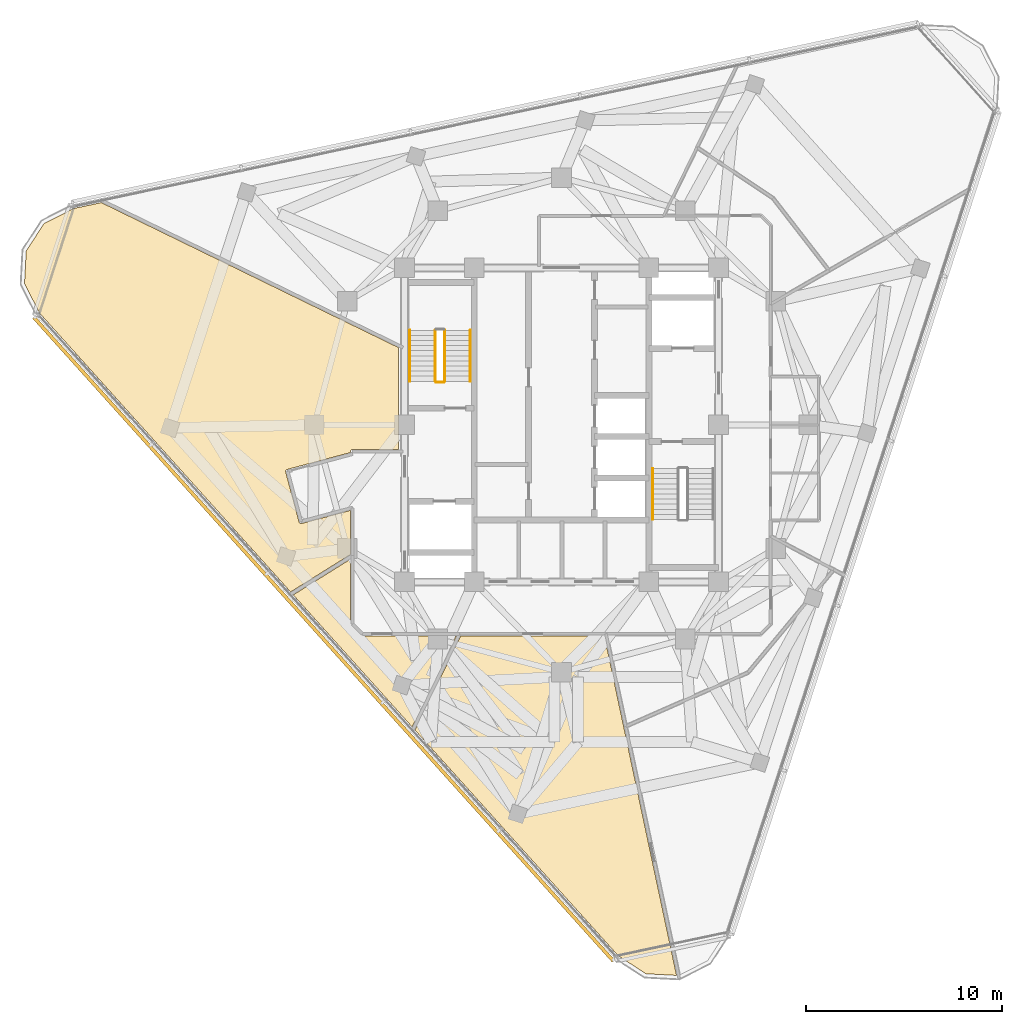
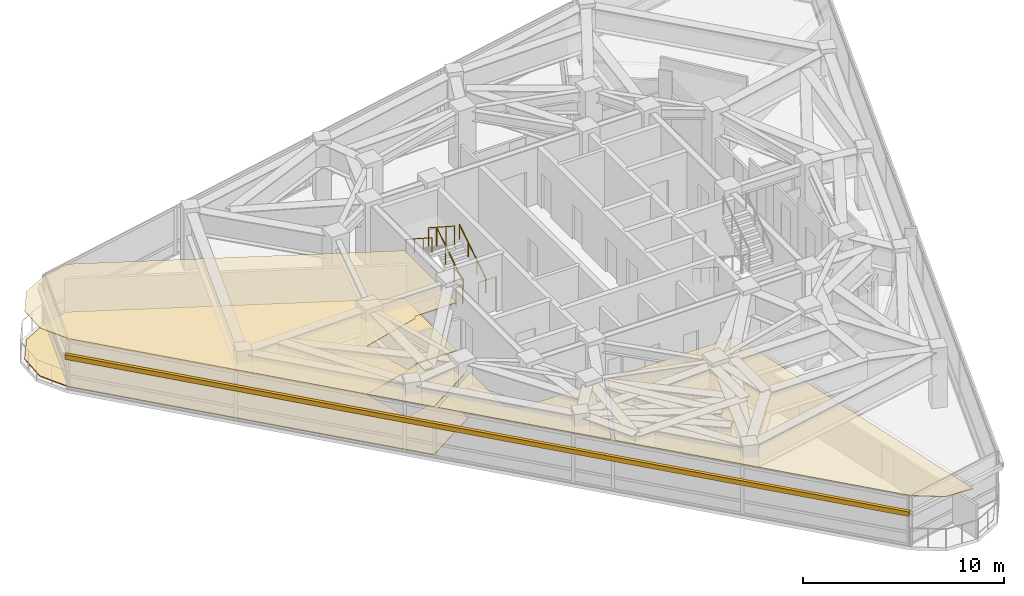
# One storey, part 12 of 15: 6 railings, 4 coverings, 1 shading device.
"""IFC4 building model written with IfcOpenShell, lengths in metres."""

from ifc_helpers import new_model, si_unit, direction, frame, origin, origin_2d, place, context, subcontext, project, spatial, polyline, rectangle, circle, outline, extrude, material, layer, layer_set, type_object, element, save


model = new_model("IFC4")

# Units and contexts
model_context = context("Model", 3, precision=1e-05, world=origin(), true_north=direction((0.0, 1.0)))
body_context = subcontext(model_context, "Body", "Model", "MODEL_VIEW")
ifc_project = project(units=[si_unit("LENGTHUNIT", "METRE"), si_unit("AREAUNIT", "SQUARE_METRE"), si_unit("VOLUMEUNIT", "CUBIC_METRE"), si_unit("PLANEANGLEUNIT", "RADIAN"), si_unit("MASSUNIT", "GRAM", prefix="KILO")], contexts=[model_context])

# Site, building, storey
site_placement = place(None, origin())
site = spatial("IfcSite", under=ifc_project, at=site_placement, CompositionType="ELEMENT")
building_placement = place(site_placement, origin())
building = spatial("IfcBuilding", under=site, at=building_placement, Name="Terralouvre Media Tower", CompositionType="ELEMENT")
storey_placement = place(building_placement, frame((0.0, 0.0, 309.10009765625)))
storey = spatial("IfcBuildingStorey", under=building, at=storey_placement, Name="L80", CompositionType="ELEMENT", Elevation=309.10009765625)

# Coverings
ifc_material_1 = material(Name="Resilient elastomer acoustic broadcast studio flooring")
ifc_layer_1 = layer(ifc_material_1, 0.050048828125, Name="Broadcast Studio Acoustic Floating Floor FL-AC1")
ifc_layer_set_1 = layer_set([ifc_layer_1], Name="Resilient elastomer acoustic broadcast studio flooring")
covering_type_1 = type_object("IfcCoveringType", Name="Broadcast Studio Acoustic Floating Floor FL-AC1", PredefinedType="FLOORING", material=ifc_layer_set_1)
covering_1_placement = place(storey_placement, frame((0.0, 0.0, 0.0), z_axis=(0.0, 0.0, 1.0), x_axis=(0.309016994375, 0.951056516295, 0.0)))
element("IfcCovering", 1, at=covering_1_placement, inside=storey, type_object=covering_type_1, Name="L80 Audio Mastering Control Room 1 Acoustic Floating Floor", PredefinedType="FLOORING", context=body_context, shape_type="SweptSolid", body=[
    extrude(outline(polyline([(-11.994873046875, 10.1953125), (-9.5986328125, 8.1845703125), (-7.464111328125, 8.8779296875), (-8.87451171875, 11.049560546875), (-8.87939453125, 11.05810546875), (-8.883544921875, 11.06689453125), (-8.88671875, 11.076416015625), (-8.888916015625, 11.0859375), (-8.89013671875, 11.095458984375), (-8.890625, 11.10546875), (-8.889892578125, 11.115234375), (-8.888427734375, 11.124755859375), (-8.885986328125, 11.13427734375), (-8.882568359375, 11.1435546875), (-8.878173828125, 11.15234375), (-8.873046875, 11.16064453125), (-8.866943359375, 11.16845703125), (-8.8603515625, 11.17578125), (-8.85302734375, 11.18212890625), (-8.844970703125, 11.18798828125), (-6.621826171875, 12.63037109375), (-6.613525390625, 12.635498046875), (-6.6044921875, 12.639404296875), (-6.59521484375, 12.642578125), (-6.585693359375, 12.644775390625), (-6.576171875, 12.646240234375), (-6.566162109375, 12.646484375), (-6.556396484375, 12.64599609375), (-6.546875, 12.644287109375), (-6.537109375, 12.641845703125), (-6.528076171875, 12.638427734375), (-6.519287109375, 12.634033203125), (-6.510986328125, 12.62890625), (-6.503173828125, 12.623046875), (-6.495849609375, 12.616455078125), (-6.489501953125, 12.60888671875), (-6.483642578125, 12.60107421875), (-4.658447265625, 9.78955078125), (-4.60595703125, 9.806640625), (-4.596435546875, 9.809326171875), (-4.586669921875, 9.810791015625), (-4.576904296875, 9.8115234375), (-4.567138671875, 9.811279296875), (-4.557373046875, 9.81005859375), (-4.5478515625, 9.807861328125), (-4.53857421875, 9.8046875), (-4.529541015625, 9.80078125), (-4.52099609375, 9.795654296875), (-4.51318359375, 9.7900390625), (-4.505615234375, 9.78369140625), (-4.4990234375, 9.776611328125), (-4.492919921875, 9.768798828125), (-4.48779296875, 9.760498046875), (-4.4833984375, 9.751708984375), (-4.479736328125, 9.742431640625), (-3.7568359375, 7.51708984375), (1.1806640625, 9.121337890625), (3.526123046875, 25.8056640625), (2.802734375, 27.0576171875), (1.6064453125, 28.255126953125), (0.0, 28.684326171875), (-1.606201171875, 28.254150390625), (-2.803466796875, 27.057861328125), (-12.361328125, 10.5029296875), (-11.994873046875, 10.1953125)])), origin(), (0.0, 0.0, 1.0), 0.0498046875),
])
ifc_material_2 = material(Name="Perforated aluminium acoustic ceiling baffle", Category="aluminium")
ifc_layer_2 = layer(ifc_material_2, 0.0400390625, Name="Perforated Acoustic Metal Tile Ceiling CL-AC1")
ifc_layer_set_2 = layer_set([ifc_layer_2], Name="Perforated aluminium acoustic ceiling baffle")
covering_type_2 = type_object("IfcCoveringType", Name="Perforated Acoustic Metal Tile Ceiling CL-AC1", PredefinedType="CEILING", material=ifc_layer_set_2)
covering_2_placement = place(storey_placement, frame((0.0, 0.0, 2.919921875), z_axis=(0.0, 0.0, 1.0), x_axis=(0.309016994375, 0.951056516295, 0.0)))
element("IfcCovering", 2, at=covering_2_placement, inside=storey, type_object=covering_type_2, Name="L80 Audio Mastering Control Room 1 Acoustic Ceiling", PredefinedType="CEILING", context=body_context, shape_type="SweptSolid", body=[
    extrude(outline(polyline([(-11.994873046875, 10.1953125), (-9.5986328125, 8.1845703125), (-7.464111328125, 8.8779296875), (-8.87451171875, 11.049560546875), (-8.87939453125, 11.05810546875), (-8.883544921875, 11.06689453125), (-8.88671875, 11.076416015625), (-8.888916015625, 11.0859375), (-8.89013671875, 11.095458984375), (-8.890625, 11.10546875), (-8.889892578125, 11.115234375), (-8.888427734375, 11.124755859375), (-8.885986328125, 11.13427734375), (-8.882568359375, 11.1435546875), (-8.878173828125, 11.15234375), (-8.873046875, 11.16064453125), (-8.866943359375, 11.16845703125), (-8.8603515625, 11.17578125), (-8.85302734375, 11.18212890625), (-8.844970703125, 11.18798828125), (-6.621826171875, 12.63037109375), (-6.613525390625, 12.635498046875), (-6.6044921875, 12.639404296875), (-6.59521484375, 12.642578125), (-6.585693359375, 12.644775390625), (-6.576171875, 12.646240234375), (-6.566162109375, 12.646484375), (-6.556396484375, 12.64599609375), (-6.546875, 12.644287109375), (-6.537109375, 12.641845703125), (-6.528076171875, 12.638427734375), (-6.519287109375, 12.634033203125), (-6.510986328125, 12.62890625), (-6.503173828125, 12.623046875), (-6.495849609375, 12.616455078125), (-6.489501953125, 12.60888671875), (-6.483642578125, 12.60107421875), (-4.658447265625, 9.78955078125), (-4.60595703125, 9.806640625), (-4.596435546875, 9.809326171875), (-4.586669921875, 9.810791015625), (-4.576904296875, 9.8115234375), (-4.567138671875, 9.811279296875), (-4.557373046875, 9.81005859375), (-4.5478515625, 9.807861328125), (-4.53857421875, 9.8046875), (-4.529541015625, 9.80078125), (-4.52099609375, 9.795654296875), (-4.51318359375, 9.7900390625), (-4.505615234375, 9.78369140625), (-4.4990234375, 9.776611328125), (-4.492919921875, 9.768798828125), (-4.48779296875, 9.760498046875), (-4.4833984375, 9.751708984375), (-4.479736328125, 9.742431640625), (-3.7568359375, 7.51708984375), (1.1806640625, 9.121337890625), (3.526123046875, 25.8056640625), (2.802734375, 27.0576171875), (1.6064453125, 28.255126953125), (0.0, 28.684326171875), (-1.606201171875, 28.254150390625), (-2.803466796875, 27.057861328125), (-12.361328125, 10.5029296875), (-11.994873046875, 10.1953125)])), origin(), (0.0, 0.0, 1.0), 0.0400390625),
])
covering_3_placement = place(storey_placement, frame((0.0, 0.0, 2.919921875), z_axis=(0.0, 0.0, 1.0), x_axis=(0.309016994375, 0.951056516295, 0.0)))
element("IfcCovering", 3, at=covering_3_placement, inside=storey, type_object=covering_type_2, Name="L80 Radio Continuity Control Room 2 Acoustic Ceiling", PredefinedType="CEILING", context=body_context, shape_type="SweptSolid", body=[
    extrude(outline(polyline([(-15.5751953125, 2.2900390625), (-11.87841796875, 1.77001953125), (-13.3603515625, 6.331298828125), (-13.363037109375, 6.3408203125), (-13.364501953125, 6.350341796875), (-13.365234375, 6.360107421875), (-13.364990234375, 6.3701171875), (-13.36376953125, 6.379638671875), (-13.361572265625, 6.389404296875), (-13.3583984375, 6.398681640625), (-13.354248046875, 6.407470703125), (-13.033447265625, 7.03759765625), (-13.0283203125, 7.046142578125), (-13.022705078125, 7.05419921875), (-13.016357421875, 7.0615234375), (-13.00927734375, 7.068359375), (-13.00146484375, 7.07421875), (-12.9931640625, 7.07958984375), (-12.984375, 7.083740234375), (-12.97509765625, 7.08740234375), (-9.82275390625, 8.111572265625), (-12.123291015625, 10.042236328125), (-12.462890625, 10.3271484375), (-16.98828125, 2.488037109375), (-15.5751953125, 2.2900390625)])), origin(), (0.0, 0.0, 1.0), 0.0400390625),
])
covering_4_placement = place(storey_placement, frame((0.0, 0.0, 2.919921875), z_axis=(0.0, 0.0, 1.0), x_axis=(0.309016994375, 0.951056516295, 0.0)))
element("IfcCovering", 4, at=covering_4_placement, inside=storey, type_object=covering_type_2, Name="L80 Foley Sound Creative Workshop 3 Acoustic Ceiling", PredefinedType="CEILING", context=body_context, shape_type="SweptSolid", body=[
    extrude(outline(polyline([(-9.54931640625, -5.398193359375), (-11.8095703125, 1.558349609375), (-15.602783203125, 2.092041015625), (-17.095947265625, 2.30126953125), (-24.83447265625, -11.10107421875), (-25.272705078125, -12.736083984375), (-24.86865234375, -14.241943359375), (-13.65380859375, -7.767578125), (-9.54931640625, -5.398193359375)])), origin(), (0.0, 0.0, 1.0), 0.0400390625),
])

# Railings
ifc_material_3 = material(Name="Stainless steel 316 handrail and balustrade", Category="steel")
ifc_layer_3 = layer(ifc_material_3, 0.050048828125, Name="Stair Flight Wall Handrail HR-INT1")
ifc_layer_set_3 = layer_set([ifc_layer_3], Name="Stainless steel 316 handrail and balustrade")
railing_type_1 = type_object("IfcRailingType", Name="Stair Flight Wall Handrail HR-INT1", PredefinedType="HANDRAIL", material=ifc_layer_set_3)
railing_1_placement = place(storey_placement, frame((-4.64990234375, 2.219970703125, 0.16796875)))
element("IfcRailing", 5, at=railing_1_placement, inside=storey, type_object=railing_type_1, Name="L80 ST-01 stair handrail 1", PredefinedType="HANDRAIL", context=body_context, shape_type="SweptSolid", body=[
    extrude(circle(Radius=0.02392578125, at=origin_2d()), frame((0.0, 0.0, 0.8759765625), z_axis=(0.0, 0.839648411786, 0.543130320075), x_axis=(-1.0, 0.0, 0.0)), (0.0, 0.0, 1.0), 3.0966796875),
    extrude(circle(Radius=0.02099609375, at=origin_2d()), origin(), (0.0, 0.0, 1.0), 0.851806640625),
    extrude(circle(Radius=0.02099609375, at=origin_2d()), frame((0.0, 0.86669921875, 0.560546875)), (0.0, 0.0, 1.0), 0.851806640625),
    extrude(circle(Radius=0.02099609375, at=origin_2d()), frame((0.0, 1.7333984375, 1.121337890625)), (0.0, 0.0, 1.0), 0.851806640625),
    extrude(circle(Radius=0.02099609375, at=origin_2d()), frame((0.0, 2.60009765625, 1.681884765625)), (0.0, 0.0, 1.0), 0.851806640625),
])
for number, where, name in (
    (6, (-7.72998046875, 4.820068359375, 2.01806640625), "L80 ST-01 stair handrail 2"),
    (7, (4.64990234375, -2.219970703125, 0.16796875), "L80 ST-02 stair handrail 1"),
):
    element("IfcRailing", number, at=place(storey_placement, frame(where)), inside=storey, type_object=railing_type_1, Name=name, PredefinedType="HANDRAIL", context=body_context, shape_type="SweptSolid", body=[
        extrude(circle(Radius=0.02392578125, at=origin_2d()), frame((0.0, 0.0, 0.8759765625), z_axis=(0.0, -0.839648411786, 0.543130320075), x_axis=(1.0, 0.0, 0.0)), (0.0, 0.0, 1.0), 3.0966796875),
        extrude(circle(Radius=0.02099609375, at=origin_2d()), origin(), (0.0, 0.0, 1.0), 0.851806640625),
        extrude(circle(Radius=0.02099609375, at=origin_2d()), frame((0.0, -0.86669921875, 0.560546875)), (0.0, 0.0, 1.0), 0.851806640625),
        extrude(circle(Radius=0.02099609375, at=origin_2d()), frame((0.0, -1.7333984375, 1.121337890625)), (0.0, 0.0, 1.0), 0.851806640625),
        extrude(circle(Radius=0.02099609375, at=origin_2d()), frame((0.0, -2.60009765625, 1.681884765625)), (0.0, 0.0, 1.0), 0.851806640625),
    ])
ifc_material_4 = material(Name="Stainless steel 316 handrail and balustrade", Category="steel")
ifc_layer_4 = layer(ifc_material_4, 0.050048828125, Name="Stairwell Safety Guardrail GR-INT1")
ifc_layer_set_4 = layer_set([ifc_layer_4], Name="Stainless steel 316 handrail and balustrade")
railing_type_2 = type_object("IfcRailingType", Name="Stairwell Safety Guardrail GR-INT1", PredefinedType="GUARDRAIL", material=ifc_layer_set_4)
railing_2_placement = place(storey_placement, frame((-5.949951171875, 2.219970703125, 0.16796875)))
element("IfcRailing", 8, at=railing_2_placement, inside=storey, type_object=railing_type_2, Name="L80 ST-01 stair guard 1", PredefinedType="GUARDRAIL", context=body_context, shape_type="SweptSolid", body=[
    extrude(circle(Radius=0.02392578125, at=origin_2d()), frame((0.0, 0.0, 1.1259765625), z_axis=(0.0, 0.839648411786, 0.543130320075), x_axis=(-1.0, 0.0, 0.0)), (0.0, 0.0, 1.0), 3.0966796875),
    extrude(circle(Radius=0.02099609375, at=origin_2d()), origin(), (0.0, 0.0, 1.0), 1.101806640625),
    extrude(circle(Radius=0.02099609375, at=origin_2d()), frame((0.0, 0.86669921875, 0.560546875)), (0.0, 0.0, 1.0), 1.101806640625),
    extrude(circle(Radius=0.02099609375, at=origin_2d()), frame((0.0, 1.7333984375, 1.121337890625)), (0.0, 0.0, 1.0), 1.101806640625),
    extrude(circle(Radius=0.02099609375, at=origin_2d()), frame((0.0, 2.60009765625, 1.681884765625)), (0.0, 0.0, 1.0), 1.101806640625),
])
railing_3_placement = place(storey_placement, frame((-6.429931640625, 4.820068359375, 2.01806640625)))
element("IfcRailing", 9, at=railing_3_placement, inside=storey, type_object=railing_type_2, Name="L80 ST-01 stair guard 3", PredefinedType="GUARDRAIL", context=body_context, shape_type="SweptSolid", body=[
    extrude(circle(Radius=0.02392578125, at=origin_2d()), frame((0.0, 0.0, 1.1259765625), z_axis=(0.0, -0.839648411786, 0.543130320075), x_axis=(1.0, 0.0, 0.0)), (0.0, 0.0, 1.0), 3.0966796875),
    extrude(circle(Radius=0.02099609375, at=origin_2d()), origin(), (0.0, 0.0, 1.0), 1.101806640625),
    extrude(circle(Radius=0.02099609375, at=origin_2d()), frame((0.0, -0.86669921875, 0.560546875)), (0.0, 0.0, 1.0), 1.101806640625),
    extrude(circle(Radius=0.02099609375, at=origin_2d()), frame((0.0, -1.7333984375, 1.121337890625)), (0.0, 0.0, 1.0), 1.101806640625),
    extrude(circle(Radius=0.02099609375, at=origin_2d()), frame((0.0, -2.60009765625, 1.681884765625)), (0.0, 0.0, 1.0), 1.101806640625),
])
railing_4_placement = place(storey_placement, frame((-6.0, 2.169921875, 0.0)))
element("IfcRailing", 10, at=railing_4_placement, inside=storey, type_object=railing_type_2, Name="L80 ST-01 stair guard 4", PredefinedType="GUARDRAIL", context=body_context, shape_type="SweptSolid", body=[
    extrude(circle(Radius=0.02392578125, at=origin_2d()), frame((0.0, 0.0, 1.1259765625), z_axis=(-1.0, 0.0, 0.0), x_axis=(0.0, -1.0, 0.0)), (0.0, 0.0, 1.0), 0.3798828125),
    extrude(circle(Radius=0.02099609375, at=origin_2d()), origin(), (0.0, 0.0, 1.0), 1.101806640625),
    extrude(circle(Radius=0.02099609375, at=origin_2d()), frame((-0.3798828125, 0.0, 0.0)), (0.0, 0.0, 1.0), 1.101806640625),
])

# Shading device
ifc_material_5 = material(Name="Extruded terracotta baguette sunshade louvres", Category="masonry")
shading_device_type = type_object("IfcShadingDeviceType", Name="Terracotta Baguette Sunshade Louvre Screen TB-LV1", PredefinedType="USERDEFINED", material=ifc_material_5)
shading_device_placement = place(storey_placement, frame((-12.12548828125, -10.917724609375, 1.98681640625), z_axis=(0.0, 0.0, 1.0), x_axis=(0.669130573531, -0.743144855036, 0.0)))
element("IfcShadingDevice", 11, at=shading_device_placement, inside=storey, type_object=shading_device_type, Name="CW-L80-F2 Terracotta Baguette Sunshade Louvre", ObjectType="BAGUETTE", PredefinedType="USERDEFINED", context=body_context, shape_type="SweptSolid", body=[
    extrude(rectangle(XDim=44.1201171875, YDim=0.179931640625, at=origin_2d()), origin(), (0.0, 0.0, 1.0), 0.280029296875),
])

save(model, "model.ifc")
